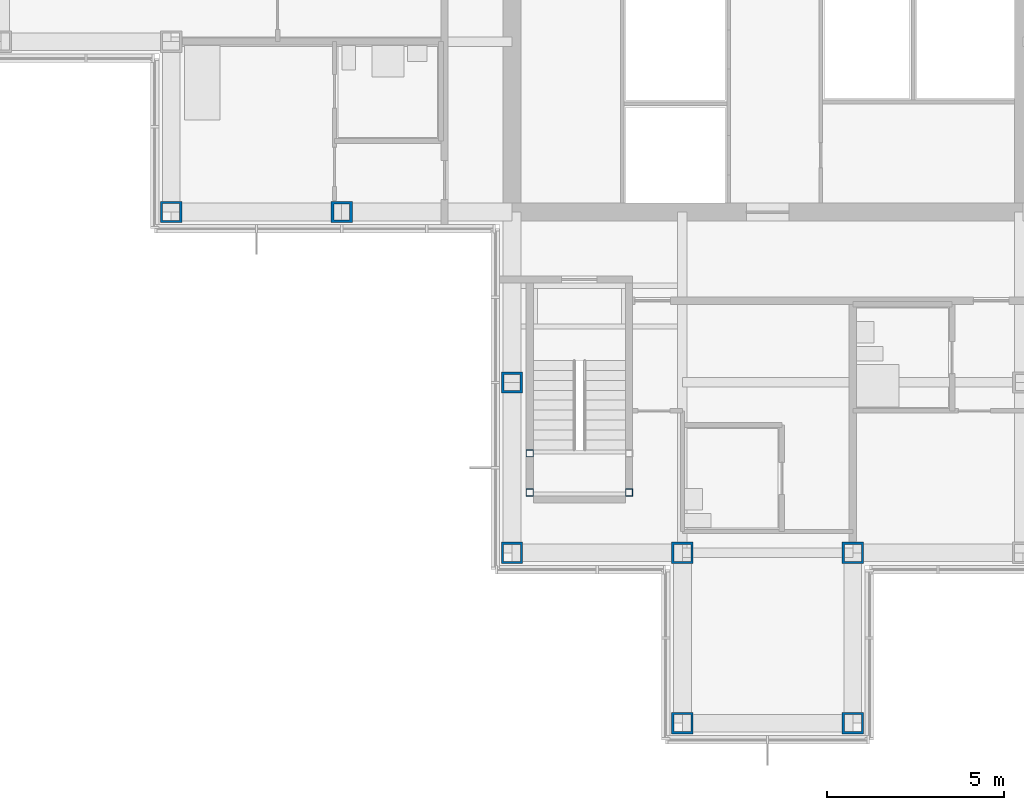
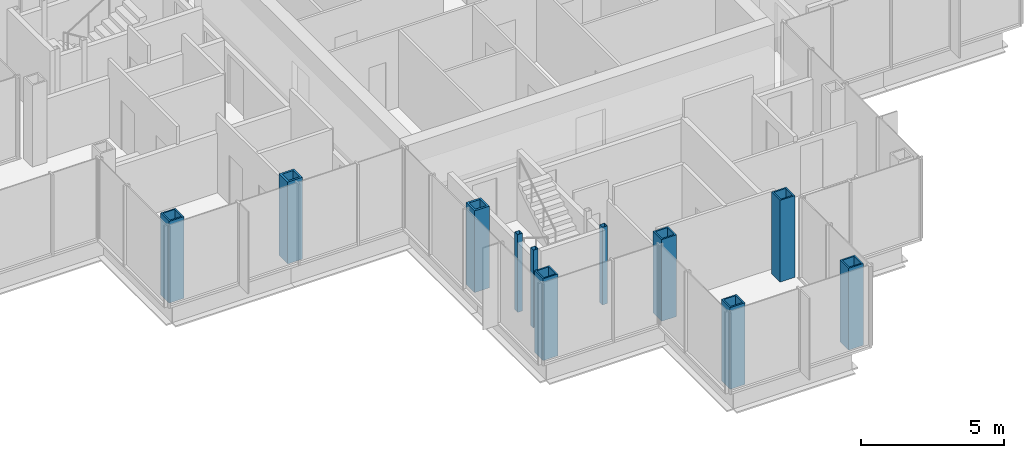
# One storey, part 1 of 17: 11 columns.
"""IFC4 building model written with IfcOpenShell, lengths in metres."""

from ifc_helpers import new_model, si_unit, direction, frame, origin, origin_2d, place, context, subcontext, project, spatial, hollow_rectangle, extrude, material, material_profile, profile_set, type_object, element, save


model = new_model("IFC4")

# Units and contexts
model_context = context("Model", 3, precision=1e-05, world=origin(), true_north=direction((0.0, 1.0)))
body_context = subcontext(model_context, "Body", "Model", "MODEL_VIEW")
ifc_project = project(units=[si_unit("LENGTHUNIT", "METRE"), si_unit("AREAUNIT", "SQUARE_METRE"), si_unit("VOLUMEUNIT", "CUBIC_METRE"), si_unit("PLANEANGLEUNIT", "RADIAN"), si_unit("MASSUNIT", "GRAM", prefix="KILO")], contexts=[model_context])

# Site, building, storey
site_placement = place(None, origin())
site = spatial("IfcSite", under=ifc_project, at=site_placement, CompositionType="ELEMENT")
building_placement = place(site_placement, origin())
building = spatial("IfcBuilding", under=site, at=building_placement, Name="Kvirike Care Tower", CompositionType="ELEMENT")
storey_placement = place(building_placement, frame((0.0, 0.0, 165.5)))
storey = spatial("IfcBuildingStorey", under=building, at=storey_placement, Name="L45", CompositionType="ELEMENT", Elevation=165.5)

# Columns
ifc_material_1 = material(Name="Steel S460", Category="steel")
ifc_material_profile_1 = material_profile(ifc_material_1, hollow_rectangle(XDim=0.60009765625, YDim=0.60009765625, WallThickness=0.06005859375, at=origin_2d()), Name="BX 600x600x60")
ifc_profile_set_1 = profile_set([ifc_material_profile_1], Name="Steel S460")
column_type_1 = type_object("IfcColumnType", Name="COLUMN BX 600x600x60", PredefinedType="COLUMN", material=ifc_profile_set_1)
for number, where, z_axis, x_axis, name in (
    (1, (4.800048828125, 28.800048828125, 0.0), (0.0, 0.0, 1.0), (0.0, 1.0, 0.0), "Column G4 L45"),
    (2, (14.39990234375, 19.199951171875, 0.0), (0.0, 0.0, 1.0), (0.0, 1.0, 0.0), "Column E6 L45"),
    (3, (19.199951171875, 14.39990234375, 0.0), (0.0, 0.0, 1.0), (0.0, 1.0, 0.0), "Column D7 L45"),
    (4, (19.199951171875, 19.199951171875, 0.0), (0.0, 0.0, 1.0), (0.0, 1.0, 0.0), "Column E7 L45"),
    (5, (24.0, 14.39990234375, 0.0), (0.0, 0.0, 1.0), (0.0, 1.0, 0.0), "Column D8 L45"),
    (6, (24.0, 19.199951171875, 0.0), (0.0, 0.0, 1.0), (0.0, 1.0, 0.0), "Column E8 L45"),
):
    element("IfcColumn", number, at=place(storey_placement, frame(where, z_axis=z_axis, x_axis=x_axis)), inside=storey, type_object=column_type_1, Name=name, PredefinedType="COLUMN", context=body_context, shape_type="SweptSolid", body=[
        extrude(hollow_rectangle(XDim=0.60009765625, YDim=0.60009765625, WallThickness=0.06005859375, at=origin_2d()), origin(), (0.0, 0.0, 1.0), 3.5),
    ])
ifc_material_2 = material(Name="Steel S460", Category="steel")
ifc_material_profile_2 = material_profile(ifc_material_2, hollow_rectangle(XDim=0.60009765625, YDim=0.60009765625, WallThickness=0.080078125, at=origin_2d()), Name="BX 600x600x80")
ifc_profile_set_2 = profile_set([ifc_material_profile_2], Name="Steel S460")
column_type_2 = type_object("IfcColumnType", Name="COLUMN BX 600x600x80", PredefinedType="COLUMN", material=ifc_profile_set_2)
for number, where, z_axis, x_axis, name in (
    (7, (9.60009765625, 28.800048828125, 0.0), (0.0, 0.0, 1.0), (0.0, 1.0, 0.0), "Column G5 L45"),
    (8, (14.39990234375, 24.0, 0.0), (0.0, 0.0, 1.0), (1.0, 0.0, 0.0), "Column F6 L45"),
):
    element("IfcColumn", number, at=place(storey_placement, frame(where, z_axis=z_axis, x_axis=x_axis)), inside=storey, type_object=column_type_2, Name=name, PredefinedType="COLUMN", context=body_context, shape_type="SweptSolid", body=[
        extrude(hollow_rectangle(XDim=0.60009765625, YDim=0.60009765625, WallThickness=0.080078125, at=origin_2d()), origin(), (0.0, 0.0, 1.0), 3.5),
    ])
ifc_material_3 = material(Name="Steel S460", Category="steel")
ifc_material_profile_3 = material_profile(ifc_material_3, hollow_rectangle(XDim=0.199951171875, YDim=0.199951171875, WallThickness=0.008056640625, at=origin_2d()), Name="SHS 200x200x8")
ifc_profile_set_3 = profile_set([ifc_material_profile_3], Name="Steel S460")
column_type_3 = type_object("IfcColumnType", Name="STAIR POST SHS 200x200x8", PredefinedType="COLUMN", material=ifc_profile_set_3)
for number, where, z_axis, x_axis, name in (
    (9, (14.89990234375, 20.89990234375, 0.0), (0.0, 0.0, 1.0), (1.0, 0.0, 0.0), "Stair 5 post 1 L45"),
    (10, (17.699951171875, 20.89990234375, 0.0), (0.0, 0.0, 1.0), (1.0, 0.0, 0.0), "Stair 5 post 2 L45"),
    (11, (14.89990234375, 22.0, 0.0), (0.0, 0.0, 1.0), (1.0, 0.0, 0.0), "Stair 5 post 3 L45"),
):
    element("IfcColumn", number, at=place(storey_placement, frame(where, z_axis=z_axis, x_axis=x_axis)), inside=storey, type_object=column_type_3, Name=name, PredefinedType="COLUMN", context=body_context, shape_type="SweptSolid", body=[
        extrude(hollow_rectangle(XDim=0.199951171875, YDim=0.199951171875, WallThickness=0.008056640625, at=origin_2d()), origin(), (0.0, 0.0, 1.0), 3.330078125),
    ])

save(model, "model.ifc")
